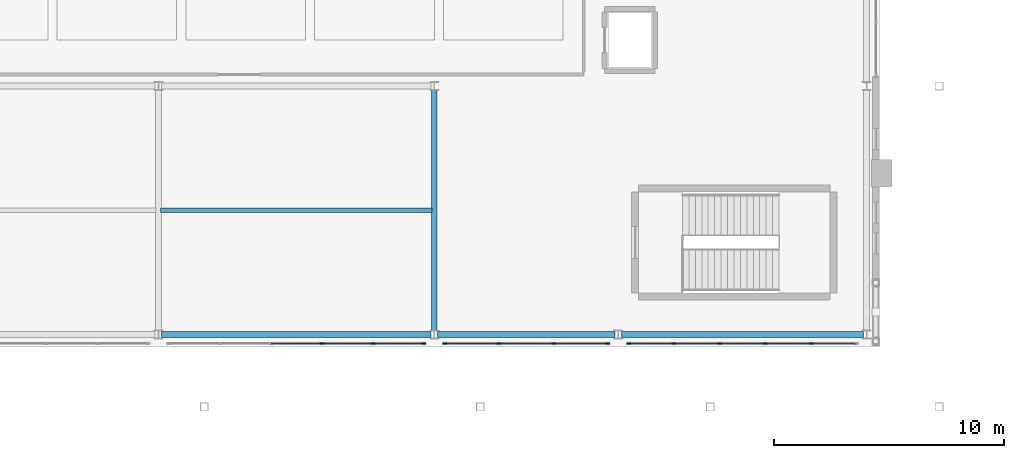
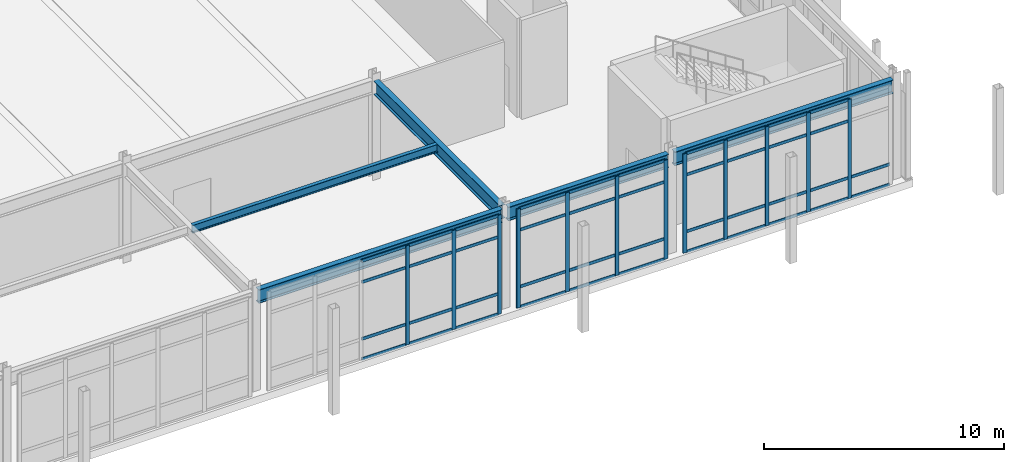
# One storey, part 66 of 159: 54 members, 5 beams, 3 elements without a shape of their own.
"""IFC4 building model written with IfcOpenShell, lengths in metres."""

from ifc_helpers import new_model, si_unit, derived_unit, direction, frame, origin, origin_2d, place, context, subcontext, project, spatial, rectangle, i_section, extrude, material, layer, layer_set, material_profile, profile_set, type_object, element, aggregate, save


model = new_model("IFC4")

# Units and contexts
model_context = context("Model", 3, precision=1e-05, world=origin(), true_north=direction((0.0, 1.0)))
body_context = subcontext(model_context, "Body", "Model", "MODEL_VIEW")
ifc_project = project(units=[si_unit("LENGTHUNIT", "METRE"), si_unit("AREAUNIT", "SQUARE_METRE"), si_unit("VOLUMEUNIT", "CUBIC_METRE"), si_unit("PLANEANGLEUNIT", "RADIAN"), si_unit("MASSUNIT", "GRAM", prefix="KILO"), derived_unit("THERMALTRANSMITTANCEUNIT", [(si_unit("MASSUNIT", "GRAM", prefix="KILO"), 1), (si_unit("TIMEUNIT", "SECOND"), -3), (si_unit("THERMODYNAMICTEMPERATUREUNIT", "KELVIN"), -1)])], contexts=[model_context])

# Site, building, storey
site_placement = place(None, origin())
site = spatial("IfcSite", under=ifc_project, at=site_placement, CompositionType="ELEMENT")
building_placement = place(site_placement, origin())
building = spatial("IfcBuilding", under=site, at=building_placement, Name="Valcora Ridge Arena", CompositionType="ELEMENT")
storey_placement = place(building_placement, frame((0.0, 0.0, 6.0)))
storey = spatial("IfcBuildingStorey", under=building, at=storey_placement, Name="L01", CompositionType="ELEMENT", Elevation=6.0)

# Beams
ifc_material_1 = material(Name="Steel ASTM A572 Grade 50", Category="steel")
ifc_material_profile_1 = material_profile(ifc_material_1, i_section(OverallWidth=0.256103515625, OverallDepth=0.693115234375, WebThickness=0.014404296875, FlangeThickness=0.023681640625, FilletRadius=0.02001953125, at=origin_2d()), Name="W27X114")
ifc_profile_set_1 = profile_set([ifc_material_profile_1], Name="Steel ASTM A572 Grade 50")
beam_type_1 = type_object("IfcBeamType", Name="TY-BEAM-G-W27X114-Y", PredefinedType="BEAM", material=ifc_profile_set_1)
beam_1_placement = place(storey_placement, frame((168.0, 5.340087890625, 4.693603515625), z_axis=(0.0, 1.0, 0.0), x_axis=(-1.0, 0.0, 0.0)))
element("IfcBeam", 1, at=beam_1_placement, inside=storey, type_object=beam_type_1, Name="G-W27X114-Y BEM-G-W27X114-Y-0047", PredefinedType="BEAM", context=body_context, shape_type="SweptSolid", body=[
    extrude(i_section(OverallWidth=0.256103515625, OverallDepth=0.693115234375, WebThickness=0.014404296875, FlangeThickness=0.023681640625, FilletRadius=0.02001953125, at=origin_2d()), origin(), (0.0, 0.0, 1.0), 10.52001953125),
])
ifc_material_profile_2 = material_profile(ifc_material_1, i_section(OverallWidth=0.177978515625, OverallDepth=0.406005859375, WebThickness=0.0078125, FlangeThickness=0.0126953125, FilletRadius=0.013916015625, at=origin_2d()), Name="W16X40")
ifc_profile_set_2 = profile_set([ifc_material_profile_2], Name="Steel ASTM A572 Grade 50")
beam_type_2 = type_object("IfcBeamType", Name="TY-BEAM-J-W16X40", PredefinedType="JOIST", material=ifc_profile_set_2)
beam_2_placement = place(storey_placement, frame((156.10009765625, 10.60009765625, 4.8369140625), z_axis=(1.0, 0.0, 0.0), x_axis=(0.0, 1.0, 0.0)))
element("IfcBeam", 2, at=beam_2_placement, inside=storey, type_object=beam_type_2, Name="J-W16X40 BEM-J-W16X40-0014", PredefinedType="JOIST", context=body_context, shape_type="SweptSolid", body=[
    extrude(i_section(OverallWidth=0.177978515625, OverallDepth=0.406005859375, WebThickness=0.0078125, FlangeThickness=0.0126953125, FilletRadius=0.013916015625, at=origin_2d()), origin(), (0.0, 0.0, 1.0), 11.7998046875),
])
ifc_material_profile_3 = material_profile(ifc_material_1, i_section(OverallWidth=0.256103515625, OverallDepth=0.693115234375, WebThickness=0.014404296875, FlangeThickness=0.023681640625, FilletRadius=0.02001953125, at=origin_2d()), Name="W27X114")
ifc_profile_set_3 = profile_set([ifc_material_profile_3], Name="Steel ASTM A572 Grade 50")
beam_type_3 = type_object("IfcBeamType", Name="TY-BEAM-SP-W27X114", PredefinedType="SPANDREL", material=ifc_profile_set_3)
beam_3_placement = place(storey_placement, frame((156.139892578125, 5.199951171875, 4.693603515625), z_axis=(1.0, 0.0, 0.0), x_axis=(0.0, 1.0, 0.0)))
element("IfcBeam", 3, at=beam_3_placement, inside=storey, type_object=beam_type_3, Name="SP-W27X114 BEM-SP-W27X114-0013", PredefinedType="SPANDREL", context=body_context, shape_type="SweptSolid", body=[
    extrude(i_section(OverallWidth=0.256103515625, OverallDepth=0.693115234375, WebThickness=0.014404296875, FlangeThickness=0.023681640625, FilletRadius=0.02001953125, at=origin_2d()), origin(), (0.0, 0.0, 1.0), 11.72021484375),
])
beam_4_placement = place(storey_placement, frame((168.139892578125, 5.199951171875, 4.693603515625), z_axis=(1.0, 0.0, 0.0), x_axis=(0.0, 1.0, 0.0)))
element("IfcBeam", 4, at=beam_4_placement, inside=storey, type_object=beam_type_3, Name="SP-W27X114 BEM-SP-W27X114-0014", PredefinedType="SPANDREL", context=body_context, shape_type="SweptSolid", body=[
    extrude(i_section(OverallWidth=0.256103515625, OverallDepth=0.693115234375, WebThickness=0.014404296875, FlangeThickness=0.023681640625, FilletRadius=0.02001953125, at=origin_2d()), origin(), (0.0, 0.0, 1.0), 7.72021484375),
])
beam_5_placement = place(storey_placement, frame((176.139892578125, 5.199951171875, 4.693603515625), z_axis=(1.0, 0.0, 0.0), x_axis=(0.0, 1.0, 0.0)))
element("IfcBeam", 5, at=beam_5_placement, inside=storey, type_object=beam_type_3, Name="SP-W27X114 BEM-SP-W27X114-0015", PredefinedType="SPANDREL", context=body_context, shape_type="SweptSolid", body=[
    extrude(i_section(OverallWidth=0.256103515625, OverallDepth=0.693115234375, WebThickness=0.014404296875, FlangeThickness=0.023681640625, FilletRadius=0.02001953125, at=origin_2d()), origin(), (0.0, 0.0, 1.0), 10.52001953125),
])

# Curtain wall, members
ifc_material_2 = material(Name="Anodised dark bronze architectural aluminium 6063-T6", Category="aluminium")
ifc_layer_1 = layer(ifc_material_2, 0.179931640625, Name="Anodised dark bronze architectural aluminium 6063-T6")
ifc_layer_set_1 = layer_set([ifc_layer_1], Name="Anodised dark bronze architectural aluminium 6063-T6")
curtain_wall_type_1 = type_object("IfcCurtainWallType", Name="TY-CURTAINWALL-CW-V2-GLAZ-111X50", PredefinedType="NOTDEFINED", material=ifc_layer_set_1)
curtain_wall_1_placement = place(storey_placement, origin())
curtain_wall_1 = element("IfcCurtainWall", 6, at=curtain_wall_1_placement, inside=storey, type_object=curtain_wall_type_1, Name="CW-V2-GLAZ-111X50 CW-0046", PredefinedType="NOTDEFINED")
ifc_material_profile_4 = material_profile(ifc_material_2, rectangle(XDim=0.06005859375, YDim=0.179931640625, at=origin_2d()), Name="ALU MULLION 60x180")
ifc_profile_set_4 = profile_set([ifc_material_profile_4], Name="Anodised dark bronze architectural aluminium 6063-T6")
member_type_1 = type_object("IfcMemberType", Name="TY-MEM-CWM-60x180", PredefinedType="MULLION", material=ifc_profile_set_4)
member_1_placement = place(storey_placement, frame((163.114501953125, 4.800048828125, 0.0), z_axis=(0.0, 0.0, 1.0), x_axis=(0.0, 1.0, 0.0)))
member_1 = element("IfcMember", 7, at=member_1_placement, type_object=member_type_1, Name="CW-0046/CWM-60x180/M03", PredefinedType="MULLION", context=body_context, shape_type="SweptSolid", body=[
    extrude(rectangle(XDim=0.06005859375, YDim=0.179931640625, at=origin_2d()), origin(), (0.0, 0.0, 1.0), 5.0400390625),
])
member_2_placement = place(storey_placement, frame((165.34375, 4.800048828125, 0.0), z_axis=(0.0, 0.0, 1.0), x_axis=(0.0, 1.0, 0.0)))
member_2 = element("IfcMember", 8, at=member_2_placement, type_object=member_type_1, Name="CW-0046/CWM-60x180/M04", PredefinedType="MULLION", context=body_context, shape_type="SweptSolid", body=[
    extrude(rectangle(XDim=0.06005859375, YDim=0.179931640625, at=origin_2d()), origin(), (0.0, 0.0, 1.0), 5.0400390625),
])
member_3_placement = place(storey_placement, frame((167.54296875, 4.800048828125, 0.0), z_axis=(0.0, 0.0, 1.0), x_axis=(0.0, 1.0, 0.0)))
member_3 = element("IfcMember", 9, at=member_3_placement, type_object=member_type_1, Name="CW-0046/CWM-60x180/M05", PredefinedType="MULLION", context=body_context, shape_type="SweptSolid", body=[
    extrude(rectangle(XDim=0.06005859375, YDim=0.179931640625, at=origin_2d()), origin(), (0.0, 0.0, 1.0), 5.0400390625),
])

ifc_layer_2 = layer(ifc_material_2, 0.179931640625, Name="Anodised dark bronze architectural aluminium 6063-T6")
ifc_layer_set_2 = layer_set([ifc_layer_2], Name="Anodised dark bronze architectural aluminium 6063-T6")
curtain_wall_type_2 = type_object("IfcCurtainWallType", Name="TY-CURTAINWALL-CW-V2-GLAZ-071X50", PredefinedType="NOTDEFINED", material=ifc_layer_set_2)
curtain_wall_2_placement = place(storey_placement, origin())
curtain_wall_2 = element("IfcCurtainWall", 10, at=curtain_wall_2_placement, inside=storey, type_object=curtain_wall_type_2, Name="CW-V2-GLAZ-071X50 CW-0047", PredefinedType="NOTDEFINED")
member_4_placement = place(storey_placement, frame((168.45703125, 4.800048828125, 0.0), z_axis=(0.0, 0.0, 1.0), x_axis=(0.0, 1.0, 0.0)))
member_4 = element("IfcMember", 11, at=member_4_placement, type_object=member_type_1, Name="CW-0047/CWM-60x180/M00", PredefinedType="MULLION", context=body_context, shape_type="SweptSolid", body=[
    extrude(rectangle(XDim=0.06005859375, YDim=0.179931640625, at=origin_2d()), origin(), (0.0, 0.0, 1.0), 5.0400390625),
])
member_5_placement = place(storey_placement, frame((170.80908203125, 4.800048828125, 0.0), z_axis=(0.0, 0.0, 1.0), x_axis=(0.0, 1.0, 0.0)))
member_5 = element("IfcMember", 12, at=member_5_placement, type_object=member_type_1, Name="CW-0047/CWM-60x180/M01", PredefinedType="MULLION", context=body_context, shape_type="SweptSolid", body=[
    extrude(rectangle(XDim=0.06005859375, YDim=0.179931640625, at=origin_2d()), origin(), (0.0, 0.0, 1.0), 5.0400390625),
])
member_6_placement = place(storey_placement, frame((173.19091796875, 4.800048828125, 0.0), z_axis=(0.0, 0.0, 1.0), x_axis=(0.0, 1.0, 0.0)))
member_6 = element("IfcMember", 13, at=member_6_placement, type_object=member_type_1, Name="CW-0047/CWM-60x180/M02", PredefinedType="MULLION", context=body_context, shape_type="SweptSolid", body=[
    extrude(rectangle(XDim=0.06005859375, YDim=0.179931640625, at=origin_2d()), origin(), (0.0, 0.0, 1.0), 5.0400390625),
])
member_7_placement = place(storey_placement, frame((175.54296875, 4.800048828125, 0.0), z_axis=(0.0, 0.0, 1.0), x_axis=(0.0, 1.0, 0.0)))
member_7 = element("IfcMember", 14, at=member_7_placement, type_object=member_type_1, Name="CW-0047/CWM-60x180/M03", PredefinedType="MULLION", context=body_context, shape_type="SweptSolid", body=[
    extrude(rectangle(XDim=0.06005859375, YDim=0.179931640625, at=origin_2d()), origin(), (0.0, 0.0, 1.0), 5.0400390625),
])

ifc_layer_3 = layer(ifc_material_2, 0.179931640625, Name="Anodised dark bronze architectural aluminium 6063-T6")
ifc_layer_set_3 = layer_set([ifc_layer_3], Name="Anodised dark bronze architectural aluminium 6063-T6")
curtain_wall_type_3 = type_object("IfcCurtainWallType", Name="TY-CURTAINWALL-CW-V2-GLAZ-099X50", PredefinedType="NOTDEFINED", material=ifc_layer_set_3)
curtain_wall_3_placement = place(storey_placement, origin())
curtain_wall_3 = element("IfcCurtainWall", 15, at=curtain_wall_3_placement, inside=storey, type_object=curtain_wall_type_3, Name="CW-V2-GLAZ-099X50 CW-0048", PredefinedType="NOTDEFINED")
member_8_placement = place(storey_placement, frame((176.45703125, 4.800048828125, 0.0), z_axis=(0.0, 0.0, 1.0), x_axis=(0.0, 1.0, 0.0)))
member_8 = element("IfcMember", 16, at=member_8_placement, type_object=member_type_1, Name="CW-0048/CWM-60x180/M00", PredefinedType="MULLION", context=body_context, shape_type="SweptSolid", body=[
    extrude(rectangle(XDim=0.06005859375, YDim=0.179931640625, at=origin_2d()), origin(), (0.0, 0.0, 1.0), 5.0400390625),
])
member_9_placement = place(storey_placement, frame((178.416259765625, 4.800048828125, 0.0), z_axis=(0.0, 0.0, 1.0), x_axis=(0.0, 1.0, 0.0)))
member_9 = element("IfcMember", 17, at=member_9_placement, type_object=member_type_1, Name="CW-0048/CWM-60x180/M01", PredefinedType="MULLION", context=body_context, shape_type="SweptSolid", body=[
    extrude(rectangle(XDim=0.06005859375, YDim=0.179931640625, at=origin_2d()), origin(), (0.0, 0.0, 1.0), 5.0400390625),
])
member_10_placement = place(storey_placement, frame((180.405517578125, 4.800048828125, 0.0), z_axis=(0.0, 0.0, 1.0), x_axis=(0.0, 1.0, 0.0)))
member_10 = element("IfcMember", 18, at=member_10_placement, type_object=member_type_1, Name="CW-0048/CWM-60x180/M02", PredefinedType="MULLION", context=body_context, shape_type="SweptSolid", body=[
    extrude(rectangle(XDim=0.06005859375, YDim=0.179931640625, at=origin_2d()), origin(), (0.0, 0.0, 1.0), 5.0400390625),
])
member_11_placement = place(storey_placement, frame((182.39453125, 4.800048828125, 0.0), z_axis=(0.0, 0.0, 1.0), x_axis=(0.0, 1.0, 0.0)))
member_11 = element("IfcMember", 19, at=member_11_placement, type_object=member_type_1, Name="CW-0048/CWM-60x180/M03", PredefinedType="MULLION", context=body_context, shape_type="SweptSolid", body=[
    extrude(rectangle(XDim=0.06005859375, YDim=0.179931640625, at=origin_2d()), origin(), (0.0, 0.0, 1.0), 5.0400390625),
])
member_12_placement = place(storey_placement, frame((184.3837890625, 4.800048828125, 0.0), z_axis=(0.0, 0.0, 1.0), x_axis=(0.0, 1.0, 0.0)))
member_12 = element("IfcMember", 20, at=member_12_placement, type_object=member_type_1, Name="CW-0048/CWM-60x180/M04", PredefinedType="MULLION", context=body_context, shape_type="SweptSolid", body=[
    extrude(rectangle(XDim=0.06005859375, YDim=0.179931640625, at=origin_2d()), origin(), (0.0, 0.0, 1.0), 5.0400390625),
])

# Member
ifc_material_profile_5 = material_profile(ifc_material_2, rectangle(XDim=0.050048828125, YDim=0.14990234375, at=origin_2d()), Name="ALU TRANSOM 50x150")
ifc_profile_set_5 = profile_set([ifc_material_profile_5], Name="Anodised dark bronze architectural aluminium 6063-T6")
member_type_2 = type_object("IfcMemberType", Name="TY-MEM-CWT-50x150", PredefinedType="USERDEFINED", material=ifc_profile_set_5)
member_13_placement = place(storey_placement, frame((160.9150390625, 4.800048828125, 0.02490234375), z_axis=(1.0, 0.0, 0.0), x_axis=(0.0, 1.0, 0.0)))
member_13 = element("IfcMember", 21, at=member_13_placement, type_object=member_type_2, Name="CW-0046/CWT-50x150/T02-00", ObjectType="TRANSOM", PredefinedType="USERDEFINED", context=body_context, shape_type="SweptSolid", body=[
    extrude(rectangle(XDim=0.050048828125, YDim=0.14990234375, at=origin_2d()), origin(), (0.0, 0.0, 1.0), 2.169921875),
])

member_14_placement = place(storey_placement, frame((160.9150390625, 4.800048828125, 1.050048828125), z_axis=(1.0, 0.0, 0.0), x_axis=(0.0, 1.0, 0.0)))
member_14 = element("IfcMember", 22, at=member_14_placement, type_object=member_type_2, Name="CW-0046/CWT-50x150/T02-01", ObjectType="TRANSOM", PredefinedType="USERDEFINED", context=body_context, shape_type="SweptSolid", body=[
    extrude(rectangle(XDim=0.050048828125, YDim=0.14990234375, at=origin_2d()), origin(), (0.0, 0.0, 1.0), 2.169921875),
])

member_15_placement = place(storey_placement, frame((160.9150390625, 4.800048828125, 3.93994140625), z_axis=(1.0, 0.0, 0.0), x_axis=(0.0, 1.0, 0.0)))
member_15 = element("IfcMember", 23, at=member_15_placement, type_object=member_type_2, Name="CW-0046/CWT-50x150/T02-02", ObjectType="TRANSOM", PredefinedType="USERDEFINED", context=body_context, shape_type="SweptSolid", body=[
    extrude(rectangle(XDim=0.050048828125, YDim=0.14990234375, at=origin_2d()), origin(), (0.0, 0.0, 1.0), 2.169921875),
])

member_16_placement = place(storey_placement, frame((160.9150390625, 4.800048828125, 5.014892578125), z_axis=(1.0, 0.0, 0.0), x_axis=(0.0, 1.0, 0.0)))
member_16 = element("IfcMember", 24, at=member_16_placement, type_object=member_type_2, Name="CW-0046/CWT-50x150/T02-03", ObjectType="TRANSOM", PredefinedType="USERDEFINED", context=body_context, shape_type="SweptSolid", body=[
    extrude(rectangle(XDim=0.050048828125, YDim=0.14990234375, at=origin_2d()), origin(), (0.0, 0.0, 1.0), 2.169921875),
])

member_17_placement = place(storey_placement, frame((163.14501953125, 4.800048828125, 0.02490234375), z_axis=(1.0, 0.0, 0.0), x_axis=(0.0, 1.0, 0.0)))
member_17 = element("IfcMember", 25, at=member_17_placement, type_object=member_type_2, Name="CW-0046/CWT-50x150/T03-00", ObjectType="TRANSOM", PredefinedType="USERDEFINED", context=body_context, shape_type="SweptSolid", body=[
    extrude(rectangle(XDim=0.050048828125, YDim=0.14990234375, at=origin_2d()), origin(), (0.0, 0.0, 1.0), 2.1689453125),
])

member_18_placement = place(storey_placement, frame((163.14501953125, 4.800048828125, 1.050048828125), z_axis=(1.0, 0.0, 0.0), x_axis=(0.0, 1.0, 0.0)))
member_18 = element("IfcMember", 26, at=member_18_placement, type_object=member_type_2, Name="CW-0046/CWT-50x150/T03-01", ObjectType="TRANSOM", PredefinedType="USERDEFINED", context=body_context, shape_type="SweptSolid", body=[
    extrude(rectangle(XDim=0.050048828125, YDim=0.14990234375, at=origin_2d()), origin(), (0.0, 0.0, 1.0), 2.1689453125),
])

member_19_placement = place(storey_placement, frame((163.14501953125, 4.800048828125, 3.93994140625), z_axis=(1.0, 0.0, 0.0), x_axis=(0.0, 1.0, 0.0)))
member_19 = element("IfcMember", 27, at=member_19_placement, type_object=member_type_2, Name="CW-0046/CWT-50x150/T03-02", ObjectType="TRANSOM", PredefinedType="USERDEFINED", context=body_context, shape_type="SweptSolid", body=[
    extrude(rectangle(XDim=0.050048828125, YDim=0.14990234375, at=origin_2d()), origin(), (0.0, 0.0, 1.0), 2.1689453125),
])

member_20_placement = place(storey_placement, frame((163.14501953125, 4.800048828125, 5.014892578125), z_axis=(1.0, 0.0, 0.0), x_axis=(0.0, 1.0, 0.0)))
member_20 = element("IfcMember", 28, at=member_20_placement, type_object=member_type_2, Name="CW-0046/CWT-50x150/T03-03", ObjectType="TRANSOM", PredefinedType="USERDEFINED", context=body_context, shape_type="SweptSolid", body=[
    extrude(rectangle(XDim=0.050048828125, YDim=0.14990234375, at=origin_2d()), origin(), (0.0, 0.0, 1.0), 2.1689453125),
])

member_21_placement = place(storey_placement, frame((165.3740234375, 4.800048828125, 0.02490234375), z_axis=(1.0, 0.0, 0.0), x_axis=(0.0, 1.0, 0.0)))
member_21 = element("IfcMember", 29, at=member_21_placement, type_object=member_type_2, Name="CW-0046/CWT-50x150/T04-00", ObjectType="TRANSOM", PredefinedType="USERDEFINED", context=body_context, shape_type="SweptSolid", body=[
    extrude(rectangle(XDim=0.050048828125, YDim=0.14990234375, at=origin_2d()), origin(), (0.0, 0.0, 1.0), 2.138916015625),
])

member_22_placement = place(storey_placement, frame((165.3740234375, 4.800048828125, 1.050048828125), z_axis=(1.0, 0.0, 0.0), x_axis=(0.0, 1.0, 0.0)))
member_22 = element("IfcMember", 30, at=member_22_placement, type_object=member_type_2, Name="CW-0046/CWT-50x150/T04-01", ObjectType="TRANSOM", PredefinedType="USERDEFINED", context=body_context, shape_type="SweptSolid", body=[
    extrude(rectangle(XDim=0.050048828125, YDim=0.14990234375, at=origin_2d()), origin(), (0.0, 0.0, 1.0), 2.138916015625),
])

member_23_placement = place(storey_placement, frame((165.3740234375, 4.800048828125, 3.93994140625), z_axis=(1.0, 0.0, 0.0), x_axis=(0.0, 1.0, 0.0)))
member_23 = element("IfcMember", 31, at=member_23_placement, type_object=member_type_2, Name="CW-0046/CWT-50x150/T04-02", ObjectType="TRANSOM", PredefinedType="USERDEFINED", context=body_context, shape_type="SweptSolid", body=[
    extrude(rectangle(XDim=0.050048828125, YDim=0.14990234375, at=origin_2d()), origin(), (0.0, 0.0, 1.0), 2.138916015625),
])

member_24_placement = place(storey_placement, frame((165.3740234375, 4.800048828125, 5.014892578125), z_axis=(1.0, 0.0, 0.0), x_axis=(0.0, 1.0, 0.0)))
member_24 = element("IfcMember", 32, at=member_24_placement, type_object=member_type_2, Name="CW-0046/CWT-50x150/T04-03", ObjectType="TRANSOM", PredefinedType="USERDEFINED", context=body_context, shape_type="SweptSolid", body=[
    extrude(rectangle(XDim=0.050048828125, YDim=0.14990234375, at=origin_2d()), origin(), (0.0, 0.0, 1.0), 2.138916015625),
])

aggregate(curtain_wall_1, [member_1, member_2, member_3, member_13, member_14, member_15, member_16, member_17, member_18, member_19, member_20, member_21, member_22, member_23, member_24])

member_25_placement = place(storey_placement, frame((168.487060546875, 4.800048828125, 0.02490234375), z_axis=(1.0, 0.0, 0.0), x_axis=(0.0, 1.0, 0.0)))
member_25 = element("IfcMember", 33, at=member_25_placement, type_object=member_type_2, Name="CW-0047/CWT-50x150/T00-00", ObjectType="TRANSOM", PredefinedType="USERDEFINED", context=body_context, shape_type="SweptSolid", body=[
    extrude(rectangle(XDim=0.050048828125, YDim=0.14990234375, at=origin_2d()), origin(), (0.0, 0.0, 1.0), 2.2919921875),
])

member_26_placement = place(storey_placement, frame((168.487060546875, 4.800048828125, 1.050048828125), z_axis=(1.0, 0.0, 0.0), x_axis=(0.0, 1.0, 0.0)))
member_26 = element("IfcMember", 34, at=member_26_placement, type_object=member_type_2, Name="CW-0047/CWT-50x150/T00-01", ObjectType="TRANSOM", PredefinedType="USERDEFINED", context=body_context, shape_type="SweptSolid", body=[
    extrude(rectangle(XDim=0.050048828125, YDim=0.14990234375, at=origin_2d()), origin(), (0.0, 0.0, 1.0), 2.2919921875),
])

member_27_placement = place(storey_placement, frame((168.487060546875, 4.800048828125, 3.93994140625), z_axis=(1.0, 0.0, 0.0), x_axis=(0.0, 1.0, 0.0)))
member_27 = element("IfcMember", 35, at=member_27_placement, type_object=member_type_2, Name="CW-0047/CWT-50x150/T00-02", ObjectType="TRANSOM", PredefinedType="USERDEFINED", context=body_context, shape_type="SweptSolid", body=[
    extrude(rectangle(XDim=0.050048828125, YDim=0.14990234375, at=origin_2d()), origin(), (0.0, 0.0, 1.0), 2.2919921875),
])

member_28_placement = place(storey_placement, frame((168.487060546875, 4.800048828125, 5.014892578125), z_axis=(1.0, 0.0, 0.0), x_axis=(0.0, 1.0, 0.0)))
member_28 = element("IfcMember", 36, at=member_28_placement, type_object=member_type_2, Name="CW-0047/CWT-50x150/T00-03", ObjectType="TRANSOM", PredefinedType="USERDEFINED", context=body_context, shape_type="SweptSolid", body=[
    extrude(rectangle(XDim=0.050048828125, YDim=0.14990234375, at=origin_2d()), origin(), (0.0, 0.0, 1.0), 2.2919921875),
])

member_29_placement = place(storey_placement, frame((170.839111328125, 4.800048828125, 0.02490234375), z_axis=(1.0, 0.0, 0.0), x_axis=(0.0, 1.0, 0.0)))
member_29 = element("IfcMember", 37, at=member_29_placement, type_object=member_type_2, Name="CW-0047/CWT-50x150/T01-00", ObjectType="TRANSOM", PredefinedType="USERDEFINED", context=body_context, shape_type="SweptSolid", body=[
    extrude(rectangle(XDim=0.050048828125, YDim=0.14990234375, at=origin_2d()), origin(), (0.0, 0.0, 1.0), 2.32177734375),
])

member_30_placement = place(storey_placement, frame((170.839111328125, 4.800048828125, 1.050048828125), z_axis=(1.0, 0.0, 0.0), x_axis=(0.0, 1.0, 0.0)))
member_30 = element("IfcMember", 38, at=member_30_placement, type_object=member_type_2, Name="CW-0047/CWT-50x150/T01-01", ObjectType="TRANSOM", PredefinedType="USERDEFINED", context=body_context, shape_type="SweptSolid", body=[
    extrude(rectangle(XDim=0.050048828125, YDim=0.14990234375, at=origin_2d()), origin(), (0.0, 0.0, 1.0), 2.32177734375),
])

member_31_placement = place(storey_placement, frame((170.839111328125, 4.800048828125, 3.93994140625), z_axis=(1.0, 0.0, 0.0), x_axis=(0.0, 1.0, 0.0)))
member_31 = element("IfcMember", 39, at=member_31_placement, type_object=member_type_2, Name="CW-0047/CWT-50x150/T01-02", ObjectType="TRANSOM", PredefinedType="USERDEFINED", context=body_context, shape_type="SweptSolid", body=[
    extrude(rectangle(XDim=0.050048828125, YDim=0.14990234375, at=origin_2d()), origin(), (0.0, 0.0, 1.0), 2.32177734375),
])

member_32_placement = place(storey_placement, frame((170.839111328125, 4.800048828125, 5.014892578125), z_axis=(1.0, 0.0, 0.0), x_axis=(0.0, 1.0, 0.0)))
member_32 = element("IfcMember", 40, at=member_32_placement, type_object=member_type_2, Name="CW-0047/CWT-50x150/T01-03", ObjectType="TRANSOM", PredefinedType="USERDEFINED", context=body_context, shape_type="SweptSolid", body=[
    extrude(rectangle(XDim=0.050048828125, YDim=0.14990234375, at=origin_2d()), origin(), (0.0, 0.0, 1.0), 2.32177734375),
])

member_33_placement = place(storey_placement, frame((173.220947265625, 4.800048828125, 0.02490234375), z_axis=(1.0, 0.0, 0.0), x_axis=(0.0, 1.0, 0.0)))
member_33 = element("IfcMember", 41, at=member_33_placement, type_object=member_type_2, Name="CW-0047/CWT-50x150/T02-00", ObjectType="TRANSOM", PredefinedType="USERDEFINED", context=body_context, shape_type="SweptSolid", body=[
    extrude(rectangle(XDim=0.050048828125, YDim=0.14990234375, at=origin_2d()), origin(), (0.0, 0.0, 1.0), 2.2919921875),
])

member_34_placement = place(storey_placement, frame((173.220947265625, 4.800048828125, 1.050048828125), z_axis=(1.0, 0.0, 0.0), x_axis=(0.0, 1.0, 0.0)))
member_34 = element("IfcMember", 42, at=member_34_placement, type_object=member_type_2, Name="CW-0047/CWT-50x150/T02-01", ObjectType="TRANSOM", PredefinedType="USERDEFINED", context=body_context, shape_type="SweptSolid", body=[
    extrude(rectangle(XDim=0.050048828125, YDim=0.14990234375, at=origin_2d()), origin(), (0.0, 0.0, 1.0), 2.2919921875),
])

member_35_placement = place(storey_placement, frame((173.220947265625, 4.800048828125, 3.93994140625), z_axis=(1.0, 0.0, 0.0), x_axis=(0.0, 1.0, 0.0)))
member_35 = element("IfcMember", 43, at=member_35_placement, type_object=member_type_2, Name="CW-0047/CWT-50x150/T02-02", ObjectType="TRANSOM", PredefinedType="USERDEFINED", context=body_context, shape_type="SweptSolid", body=[
    extrude(rectangle(XDim=0.050048828125, YDim=0.14990234375, at=origin_2d()), origin(), (0.0, 0.0, 1.0), 2.2919921875),
])

member_36_placement = place(storey_placement, frame((173.220947265625, 4.800048828125, 5.014892578125), z_axis=(1.0, 0.0, 0.0), x_axis=(0.0, 1.0, 0.0)))
member_36 = element("IfcMember", 44, at=member_36_placement, type_object=member_type_2, Name="CW-0047/CWT-50x150/T02-03", ObjectType="TRANSOM", PredefinedType="USERDEFINED", context=body_context, shape_type="SweptSolid", body=[
    extrude(rectangle(XDim=0.050048828125, YDim=0.14990234375, at=origin_2d()), origin(), (0.0, 0.0, 1.0), 2.2919921875),
])

aggregate(curtain_wall_2, [member_4, member_5, member_6, member_7, member_25, member_26, member_27, member_28, member_29, member_30, member_31, member_32, member_33, member_34, member_35, member_36])

member_37_placement = place(storey_placement, frame((176.487060546875, 4.800048828125, 0.02490234375), z_axis=(1.0, 0.0, 0.0), x_axis=(0.0, 1.0, 0.0)))
member_37 = element("IfcMember", 45, at=member_37_placement, type_object=member_type_2, Name="CW-0048/CWT-50x150/T00-00", ObjectType="TRANSOM", PredefinedType="USERDEFINED", context=body_context, shape_type="SweptSolid", body=[
    extrude(rectangle(XDim=0.050048828125, YDim=0.14990234375, at=origin_2d()), origin(), (0.0, 0.0, 1.0), 1.89892578125),
])

member_38_placement = place(storey_placement, frame((176.487060546875, 4.800048828125, 1.050048828125), z_axis=(1.0, 0.0, 0.0), x_axis=(0.0, 1.0, 0.0)))
member_38 = element("IfcMember", 46, at=member_38_placement, type_object=member_type_2, Name="CW-0048/CWT-50x150/T00-01", ObjectType="TRANSOM", PredefinedType="USERDEFINED", context=body_context, shape_type="SweptSolid", body=[
    extrude(rectangle(XDim=0.050048828125, YDim=0.14990234375, at=origin_2d()), origin(), (0.0, 0.0, 1.0), 1.89892578125),
])

member_39_placement = place(storey_placement, frame((176.487060546875, 4.800048828125, 3.93994140625), z_axis=(1.0, 0.0, 0.0), x_axis=(0.0, 1.0, 0.0)))
member_39 = element("IfcMember", 47, at=member_39_placement, type_object=member_type_2, Name="CW-0048/CWT-50x150/T00-02", ObjectType="TRANSOM", PredefinedType="USERDEFINED", context=body_context, shape_type="SweptSolid", body=[
    extrude(rectangle(XDim=0.050048828125, YDim=0.14990234375, at=origin_2d()), origin(), (0.0, 0.0, 1.0), 1.89892578125),
])

member_40_placement = place(storey_placement, frame((176.487060546875, 4.800048828125, 5.014892578125), z_axis=(1.0, 0.0, 0.0), x_axis=(0.0, 1.0, 0.0)))
member_40 = element("IfcMember", 48, at=member_40_placement, type_object=member_type_2, Name="CW-0048/CWT-50x150/T00-03", ObjectType="TRANSOM", PredefinedType="USERDEFINED", context=body_context, shape_type="SweptSolid", body=[
    extrude(rectangle(XDim=0.050048828125, YDim=0.14990234375, at=origin_2d()), origin(), (0.0, 0.0, 1.0), 1.89892578125),
])

member_41_placement = place(storey_placement, frame((178.446044921875, 4.800048828125, 0.02490234375), z_axis=(1.0, 0.0, 0.0), x_axis=(0.0, 1.0, 0.0)))
member_41 = element("IfcMember", 49, at=member_41_placement, type_object=member_type_2, Name="CW-0048/CWT-50x150/T01-00", ObjectType="TRANSOM", PredefinedType="USERDEFINED", context=body_context, shape_type="SweptSolid", body=[
    extrude(rectangle(XDim=0.050048828125, YDim=0.14990234375, at=origin_2d()), origin(), (0.0, 0.0, 1.0), 1.928955078125),
])

member_42_placement = place(storey_placement, frame((178.446044921875, 4.800048828125, 1.050048828125), z_axis=(1.0, 0.0, 0.0), x_axis=(0.0, 1.0, 0.0)))
member_42 = element("IfcMember", 50, at=member_42_placement, type_object=member_type_2, Name="CW-0048/CWT-50x150/T01-01", ObjectType="TRANSOM", PredefinedType="USERDEFINED", context=body_context, shape_type="SweptSolid", body=[
    extrude(rectangle(XDim=0.050048828125, YDim=0.14990234375, at=origin_2d()), origin(), (0.0, 0.0, 1.0), 1.928955078125),
])

member_43_placement = place(storey_placement, frame((178.446044921875, 4.800048828125, 3.93994140625), z_axis=(1.0, 0.0, 0.0), x_axis=(0.0, 1.0, 0.0)))
member_43 = element("IfcMember", 51, at=member_43_placement, type_object=member_type_2, Name="CW-0048/CWT-50x150/T01-02", ObjectType="TRANSOM", PredefinedType="USERDEFINED", context=body_context, shape_type="SweptSolid", body=[
    extrude(rectangle(XDim=0.050048828125, YDim=0.14990234375, at=origin_2d()), origin(), (0.0, 0.0, 1.0), 1.928955078125),
])

member_44_placement = place(storey_placement, frame((178.446044921875, 4.800048828125, 5.014892578125), z_axis=(1.0, 0.0, 0.0), x_axis=(0.0, 1.0, 0.0)))
member_44 = element("IfcMember", 52, at=member_44_placement, type_object=member_type_2, Name="CW-0048/CWT-50x150/T01-03", ObjectType="TRANSOM", PredefinedType="USERDEFINED", context=body_context, shape_type="SweptSolid", body=[
    extrude(rectangle(XDim=0.050048828125, YDim=0.14990234375, at=origin_2d()), origin(), (0.0, 0.0, 1.0), 1.928955078125),
])

member_45_placement = place(storey_placement, frame((180.43505859375, 4.800048828125, 0.02490234375), z_axis=(1.0, 0.0, 0.0), x_axis=(0.0, 1.0, 0.0)))
member_45 = element("IfcMember", 53, at=member_45_placement, type_object=member_type_2, Name="CW-0048/CWT-50x150/T02-00", ObjectType="TRANSOM", PredefinedType="USERDEFINED", context=body_context, shape_type="SweptSolid", body=[
    extrude(rectangle(XDim=0.050048828125, YDim=0.14990234375, at=origin_2d()), origin(), (0.0, 0.0, 1.0), 1.929931640625),
])

member_46_placement = place(storey_placement, frame((180.43505859375, 4.800048828125, 1.050048828125), z_axis=(1.0, 0.0, 0.0), x_axis=(0.0, 1.0, 0.0)))
member_46 = element("IfcMember", 54, at=member_46_placement, type_object=member_type_2, Name="CW-0048/CWT-50x150/T02-01", ObjectType="TRANSOM", PredefinedType="USERDEFINED", context=body_context, shape_type="SweptSolid", body=[
    extrude(rectangle(XDim=0.050048828125, YDim=0.14990234375, at=origin_2d()), origin(), (0.0, 0.0, 1.0), 1.929931640625),
])

member_47_placement = place(storey_placement, frame((180.43505859375, 4.800048828125, 3.93994140625), z_axis=(1.0, 0.0, 0.0), x_axis=(0.0, 1.0, 0.0)))
member_47 = element("IfcMember", 55, at=member_47_placement, type_object=member_type_2, Name="CW-0048/CWT-50x150/T02-02", ObjectType="TRANSOM", PredefinedType="USERDEFINED", context=body_context, shape_type="SweptSolid", body=[
    extrude(rectangle(XDim=0.050048828125, YDim=0.14990234375, at=origin_2d()), origin(), (0.0, 0.0, 1.0), 1.929931640625),
])

member_48_placement = place(storey_placement, frame((180.43505859375, 4.800048828125, 5.014892578125), z_axis=(1.0, 0.0, 0.0), x_axis=(0.0, 1.0, 0.0)))
member_48 = element("IfcMember", 56, at=member_48_placement, type_object=member_type_2, Name="CW-0048/CWT-50x150/T02-03", ObjectType="TRANSOM", PredefinedType="USERDEFINED", context=body_context, shape_type="SweptSolid", body=[
    extrude(rectangle(XDim=0.050048828125, YDim=0.14990234375, at=origin_2d()), origin(), (0.0, 0.0, 1.0), 1.929931640625),
])

member_49_placement = place(storey_placement, frame((182.425048828125, 4.800048828125, 0.02490234375), z_axis=(1.0, 0.0, 0.0), x_axis=(0.0, 1.0, 0.0)))
member_49 = element("IfcMember", 57, at=member_49_placement, type_object=member_type_2, Name="CW-0048/CWT-50x150/T03-00", ObjectType="TRANSOM", PredefinedType="USERDEFINED", context=body_context, shape_type="SweptSolid", body=[
    extrude(rectangle(XDim=0.050048828125, YDim=0.14990234375, at=origin_2d()), origin(), (0.0, 0.0, 1.0), 1.928955078125),
])

member_50_placement = place(storey_placement, frame((182.425048828125, 4.800048828125, 1.050048828125), z_axis=(1.0, 0.0, 0.0), x_axis=(0.0, 1.0, 0.0)))
member_50 = element("IfcMember", 58, at=member_50_placement, type_object=member_type_2, Name="CW-0048/CWT-50x150/T03-01", ObjectType="TRANSOM", PredefinedType="USERDEFINED", context=body_context, shape_type="SweptSolid", body=[
    extrude(rectangle(XDim=0.050048828125, YDim=0.14990234375, at=origin_2d()), origin(), (0.0, 0.0, 1.0), 1.928955078125),
])

member_51_placement = place(storey_placement, frame((182.425048828125, 4.800048828125, 3.93994140625), z_axis=(1.0, 0.0, 0.0), x_axis=(0.0, 1.0, 0.0)))
member_51 = element("IfcMember", 59, at=member_51_placement, type_object=member_type_2, Name="CW-0048/CWT-50x150/T03-02", ObjectType="TRANSOM", PredefinedType="USERDEFINED", context=body_context, shape_type="SweptSolid", body=[
    extrude(rectangle(XDim=0.050048828125, YDim=0.14990234375, at=origin_2d()), origin(), (0.0, 0.0, 1.0), 1.928955078125),
])

member_52_placement = place(storey_placement, frame((182.425048828125, 4.800048828125, 5.014892578125), z_axis=(1.0, 0.0, 0.0), x_axis=(0.0, 1.0, 0.0)))
member_52 = element("IfcMember", 60, at=member_52_placement, type_object=member_type_2, Name="CW-0048/CWT-50x150/T03-03", ObjectType="TRANSOM", PredefinedType="USERDEFINED", context=body_context, shape_type="SweptSolid", body=[
    extrude(rectangle(XDim=0.050048828125, YDim=0.14990234375, at=origin_2d()), origin(), (0.0, 0.0, 1.0), 1.928955078125),
])

member_53_placement = place(storey_placement, frame((184.4140625, 4.800048828125, 0.02490234375), z_axis=(1.0, 0.0, 0.0), x_axis=(0.0, 1.0, 0.0)))
member_53 = element("IfcMember", 61, at=member_53_placement, type_object=member_type_2, Name="CW-0048/CWT-50x150/T04-00", ObjectType="TRANSOM", PredefinedType="USERDEFINED", context=body_context, shape_type="SweptSolid", body=[
    extrude(rectangle(XDim=0.050048828125, YDim=0.14990234375, at=origin_2d()), origin(), (0.0, 0.0, 1.0), 1.89892578125),
])

member_54_placement = place(storey_placement, frame((184.4140625, 4.800048828125, 1.050048828125), z_axis=(1.0, 0.0, 0.0), x_axis=(0.0, 1.0, 0.0)))
member_54 = element("IfcMember", 62, at=member_54_placement, type_object=member_type_2, Name="CW-0048/CWT-50x150/T04-01", ObjectType="TRANSOM", PredefinedType="USERDEFINED", context=body_context, shape_type="SweptSolid", body=[
    extrude(rectangle(XDim=0.050048828125, YDim=0.14990234375, at=origin_2d()), origin(), (0.0, 0.0, 1.0), 1.89892578125),
])

aggregate(curtain_wall_3, [member_8, member_9, member_10, member_11, member_12, member_37, member_38, member_39, member_40, member_41, member_42, member_43, member_44, member_45, member_46, member_47, member_48, member_49, member_50, member_51, member_52, member_53, member_54])

save(model, "model.ifc")
